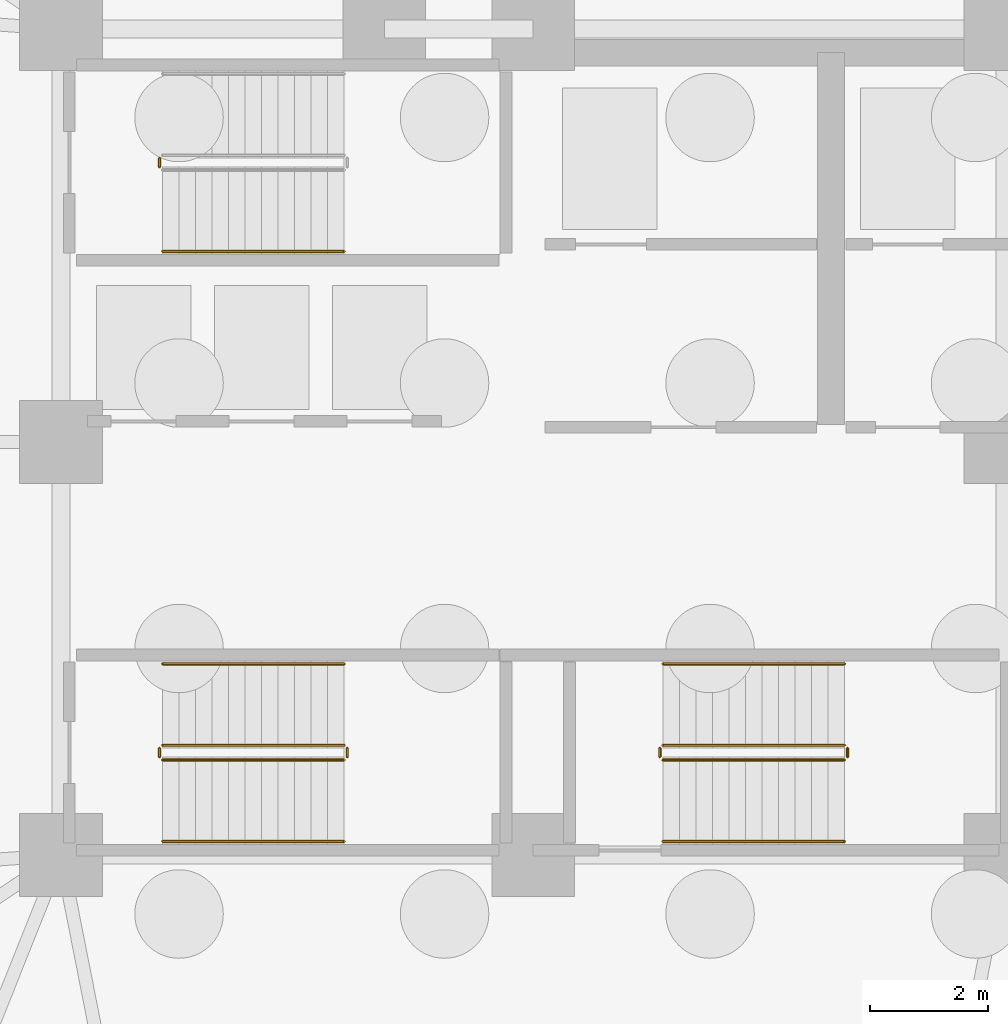
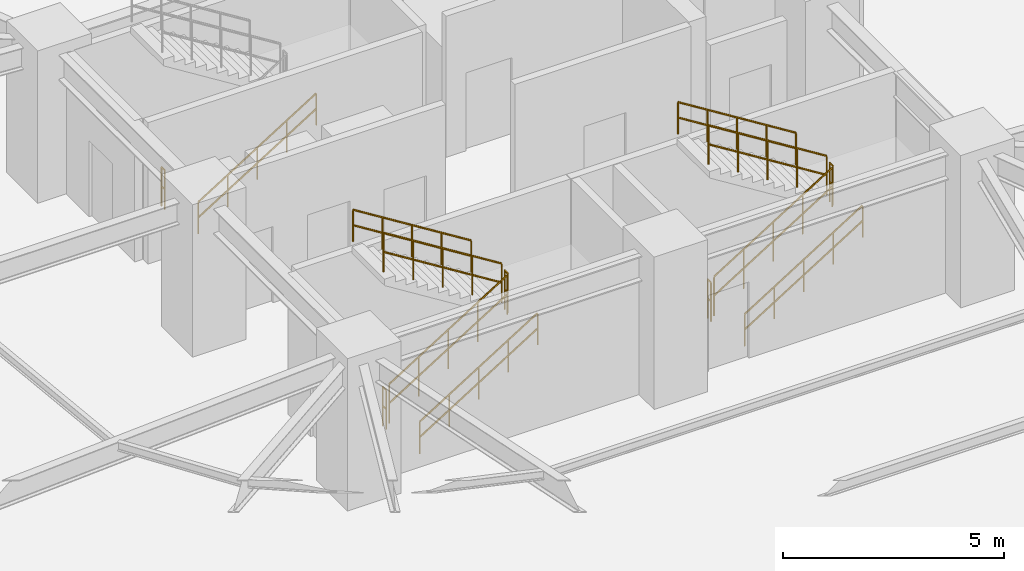
# One storey, part 20 of 23: 14 railings.
"""IFC4 building model written with IfcOpenShell, lengths in metres."""

from ifc_helpers import new_model, si_unit, direction, frame, origin, place, context, subcontext, project, spatial, polyline, outline, extrude, material, type_object, element, save


model = new_model("IFC4")

# Units and contexts
model_context = context("Model", 3, precision=1e-05, world=origin(), true_north=direction((0.0, 1.0)))
body_context = subcontext(model_context, "Body", "Model", "MODEL_VIEW")
ifc_project = project(units=[si_unit("LENGTHUNIT", "METRE"), si_unit("AREAUNIT", "SQUARE_METRE"), si_unit("VOLUMEUNIT", "CUBIC_METRE"), si_unit("PLANEANGLEUNIT", "RADIAN"), si_unit("MASSUNIT", "GRAM", prefix="KILO")], contexts=[model_context])

# Site, building, storey
site_placement = place(None, origin())
site = spatial("IfcSite", under=ifc_project, at=site_placement, CompositionType="ELEMENT")
building_placement = place(site_placement, origin())
building = spatial("IfcBuilding", under=site, at=building_placement, Name="Kelanora Arch Commons", CompositionType="ELEMENT")
storey_placement = place(building_placement, frame((0.0, 0.0, -8.39990234375)))
storey = spatial("IfcBuildingStorey", under=building, at=storey_placement, Name="B02", CompositionType="ELEMENT", Elevation=-8.39990234375)

# Railings
ifc_material_1 = material(Name="Painted steel stair well guard", Category="steel")
railing_type_1 = type_object("IfcRailingType", Name="RAIL-STAIR-GRD", PredefinedType="GUARDRAIL", material=ifc_material_1)
railing_1_placement = place(storey_placement, frame((67.669921875, 62.659912109375, 0.0)))
element("IfcRailing", 1, at=railing_1_placement, inside=storey, type_object=railing_type_1, Name="B02 ST-T1 stair guard 4", PredefinedType="GUARDRAIL", context=body_context, shape_type="SweptSolid", body=[
    extrude(outline(polyline([(0.02392578125, 0.0), (0.011962890625, 0.020751953125), (-0.011962890625, 0.020751953125), (-0.02392578125, 0.0), (-0.011962890625, -0.020751953125), (0.011962890625, -0.020751953125), (0.02392578125, 0.0)])), frame((0.0, 0.0, 1.076171875), z_axis=(0.0, 1.0, 0.0), x_axis=(-1.0, 0.0, 0.0)), (0.0, 0.0, 1.0), 0.150146484375),
    extrude(outline(polyline([(0.02392578125, 0.0), (0.011962890625, 0.020751953125), (-0.011962890625, 0.020751953125), (-0.02392578125, 0.0), (-0.011962890625, -0.020751953125), (0.011962890625, -0.020751953125), (0.02392578125, 0.0)])), frame((0.0, 0.0, 0.550048828125), z_axis=(0.0, 1.0, 0.0), x_axis=(-1.0, 0.0, 0.0)), (0.0, 0.0, 1.0), 0.150146484375),
    extrude(outline(polyline([(0.02099609375, 0.0), (0.010498046875, 0.01806640625), (-0.010498046875, 0.01806640625), (-0.02099609375, 0.0), (-0.010498046875, -0.01806640625), (0.010498046875, -0.01806640625), (0.02099609375, 0.0)])), origin(), (0.0, 0.0, 1.0), 1.052001953125),
    extrude(outline(polyline([(0.02099609375, 0.0), (0.010498046875, 0.01806640625), (-0.010498046875, 0.01806640625), (-0.02099609375, 0.0), (-0.010498046875, -0.01806640625), (0.010498046875, -0.01806640625), (0.02099609375, 0.0)])), frame((0.0, 0.150146484375, 0.0)), (0.0, 0.0, 1.0), 1.052001953125),
])
railing_2_placement = place(storey_placement, frame((76.199951171875, 52.610107421875, 0.1748046875)))
element("IfcRailing", 2, at=railing_2_placement, inside=storey, type_object=railing_type_1, Name="B02 ST-T2 stair guard 1", PredefinedType="GUARDRAIL", context=body_context, shape_type="SweptSolid", body=[
    extrude(outline(polyline([(0.02392578125, 0.0), (0.011962890625, 0.020751953125), (-0.011962890625, 0.020751953125), (-0.02392578125, 0.0), (-0.011962890625, -0.020751953125), (0.011962890625, -0.020751953125), (0.02392578125, 0.0)])), frame((0.0, 0.0, 1.076171875), z_axis=(0.847998304005, 0.0, 0.529998940003), x_axis=(0.0, 1.0, 0.0)), (0.0, 0.0, 1.0), 3.632080078125),
    extrude(outline(polyline([(0.02392578125, 0.0), (0.011962890625, 0.020751953125), (-0.011962890625, 0.020751953125), (-0.02392578125, 0.0), (-0.011962890625, -0.020751953125), (0.011962890625, -0.020751953125), (0.02392578125, 0.0)])), frame((0.0, 0.0, 0.550048828125), z_axis=(0.847998304005, 0.0, 0.529998940003), x_axis=(0.0, 1.0, 0.0)), (0.0, 0.0, 1.0), 3.632080078125),
    extrude(outline(polyline([(0.02099609375, 0.0), (0.010498046875, 0.01806640625), (-0.010498046875, 0.01806640625), (-0.02099609375, 0.0), (-0.010498046875, -0.01806640625), (0.010498046875, -0.01806640625), (0.02099609375, 0.0)])), origin(), (0.0, 0.0, 1.0), 1.052001953125),
    extrude(outline(polyline([(0.02099609375, 0.0), (0.010498046875, 0.01806640625), (-0.010498046875, 0.01806640625), (-0.02099609375, 0.0), (-0.010498046875, -0.01806640625), (0.010498046875, -0.01806640625), (0.02099609375, 0.0)])), frame((0.77001953125, 0.0, 0.481201171875)), (0.0, 0.0, 1.0), 1.052001953125),
    extrude(outline(polyline([(0.02099609375, 0.0), (0.010498046875, 0.01806640625), (-0.010498046875, 0.01806640625), (-0.02099609375, 0.0), (-0.010498046875, -0.01806640625), (0.010498046875, -0.01806640625), (0.02099609375, 0.0)])), frame((1.5400390625, 0.0, 0.96240234375)), (0.0, 0.0, 1.0), 1.052001953125),
    extrude(outline(polyline([(0.02099609375, 0.0), (0.010498046875, 0.01806640625), (-0.010498046875, 0.01806640625), (-0.02099609375, 0.0), (-0.010498046875, -0.01806640625), (0.010498046875, -0.01806640625), (0.02099609375, 0.0)])), frame((2.31005859375, 0.0, 1.44384765625)), (0.0, 0.0, 1.0), 1.052001953125),
    extrude(outline(polyline([(0.02099609375, 0.0), (0.010498046875, 0.01806640625), (-0.010498046875, 0.01806640625), (-0.02099609375, 0.0), (-0.010498046875, -0.01806640625), (0.010498046875, -0.01806640625), (0.02099609375, 0.0)])), frame((3.080078125, 0.0, 1.925048828125)), (0.0, 0.0, 1.0), 1.052001953125),
])
railing_3_placement = place(storey_placement, frame((79.330078125, 52.659912109375, 2.099853515625)))
element("IfcRailing", 3, at=railing_3_placement, inside=storey, type_object=railing_type_1, Name="B02 ST-T2 stair guard 2", PredefinedType="GUARDRAIL", context=body_context, shape_type="SweptSolid", body=[
    extrude(outline(polyline([(0.02392578125, 0.0), (0.011962890625, 0.020751953125), (-0.011962890625, 0.020751953125), (-0.02392578125, 0.0), (-0.011962890625, -0.020751953125), (0.011962890625, -0.020751953125), (0.02392578125, 0.0)])), frame((0.0, 0.0, 1.076171875), z_axis=(0.0, 1.0, 0.0), x_axis=(-1.0, 0.0, 0.0)), (0.0, 0.0, 1.0), 0.150146484375),
    extrude(outline(polyline([(0.02392578125, 0.0), (0.011962890625, 0.020751953125), (-0.011962890625, 0.020751953125), (-0.02392578125, 0.0), (-0.011962890625, -0.020751953125), (0.011962890625, -0.020751953125), (0.02392578125, 0.0)])), frame((0.0, 0.0, 0.550048828125), z_axis=(0.0, 1.0, 0.0), x_axis=(-1.0, 0.0, 0.0)), (0.0, 0.0, 1.0), 0.150146484375),
    extrude(outline(polyline([(0.02099609375, 0.0), (0.010498046875, 0.01806640625), (-0.010498046875, 0.01806640625), (-0.02099609375, 0.0), (-0.010498046875, -0.01806640625), (0.010498046875, -0.01806640625), (0.02099609375, 0.0)])), origin(), (0.0, 0.0, 1.0), 1.052001953125),
    extrude(outline(polyline([(0.02099609375, 0.0), (0.010498046875, 0.01806640625), (-0.010498046875, 0.01806640625), (-0.02099609375, 0.0), (-0.010498046875, -0.01806640625), (0.010498046875, -0.01806640625), (0.02099609375, 0.0)])), frame((0.0, 0.150146484375, 0.0)), (0.0, 0.0, 1.0), 1.052001953125),
])
railing_4_placement = place(storey_placement, frame((79.280029296875, 52.860107421875, 2.27490234375)))
element("IfcRailing", 4, at=railing_4_placement, inside=storey, type_object=railing_type_1, Name="B02 ST-T2 stair guard 3", PredefinedType="GUARDRAIL", context=body_context, shape_type="SweptSolid", body=[
    extrude(outline(polyline([(0.02392578125, 0.0), (0.011962890625, 0.020751953125), (-0.011962890625, 0.020751953125), (-0.02392578125, 0.0), (-0.011962890625, -0.020751953125), (0.011962890625, -0.020751953125), (0.02392578125, 0.0)])), frame((0.0, 0.0, 1.076171875), z_axis=(-0.847998304005, 0.0, 0.529998940003), x_axis=(0.0, -1.0, 0.0)), (0.0, 0.0, 1.0), 3.632080078125),
    extrude(outline(polyline([(0.02392578125, 0.0), (0.011962890625, 0.020751953125), (-0.011962890625, 0.020751953125), (-0.02392578125, 0.0), (-0.011962890625, -0.020751953125), (0.011962890625, -0.020751953125), (0.02392578125, 0.0)])), frame((0.0, 0.0, 0.550048828125), z_axis=(-0.847998304005, 0.0, 0.529998940003), x_axis=(0.0, -1.0, 0.0)), (0.0, 0.0, 1.0), 3.632080078125),
    extrude(outline(polyline([(0.02099609375, 0.0), (0.010498046875, 0.01806640625), (-0.010498046875, 0.01806640625), (-0.02099609375, 0.0), (-0.010498046875, -0.01806640625), (0.010498046875, -0.01806640625), (0.02099609375, 0.0)])), origin(), (0.0, 0.0, 1.0), 1.052001953125),
    extrude(outline(polyline([(0.02099609375, 0.0), (0.010498046875, 0.01806640625), (-0.010498046875, 0.01806640625), (-0.02099609375, 0.0), (-0.010498046875, -0.01806640625), (0.010498046875, -0.01806640625), (0.02099609375, 0.0)])), frame((-0.77001953125, 0.0, 0.481201171875)), (0.0, 0.0, 1.0), 1.052001953125),
    extrude(outline(polyline([(0.02099609375, 0.0), (0.010498046875, 0.01806640625), (-0.010498046875, 0.01806640625), (-0.02099609375, 0.0), (-0.010498046875, -0.01806640625), (0.010498046875, -0.01806640625), (0.02099609375, 0.0)])), frame((-1.5400390625, 0.0, 0.96240234375)), (0.0, 0.0, 1.0), 1.052001953125),
    extrude(outline(polyline([(0.02099609375, 0.0), (0.010498046875, 0.01806640625), (-0.010498046875, 0.01806640625), (-0.02099609375, 0.0), (-0.010498046875, -0.01806640625), (0.010498046875, -0.01806640625), (0.02099609375, 0.0)])), frame((-2.31005859375, 0.0, 1.44384765625)), (0.0, 0.0, 1.0), 1.052001953125),
    extrude(outline(polyline([(0.02099609375, 0.0), (0.010498046875, 0.01806640625), (-0.010498046875, 0.01806640625), (-0.02099609375, 0.0), (-0.010498046875, -0.01806640625), (0.010498046875, -0.01806640625), (0.02099609375, 0.0)])), frame((-3.080078125, 0.0, 1.925048828125)), (0.0, 0.0, 1.0), 1.052001953125),
])
railing_5_placement = place(storey_placement, frame((76.14990234375, 52.659912109375, 0.0)))
element("IfcRailing", 5, at=railing_5_placement, inside=storey, type_object=railing_type_1, Name="B02 ST-T2 stair guard 4", PredefinedType="GUARDRAIL", context=body_context, shape_type="SweptSolid", body=[
    extrude(outline(polyline([(0.02392578125, 0.0), (0.011962890625, 0.020751953125), (-0.011962890625, 0.020751953125), (-0.02392578125, 0.0), (-0.011962890625, -0.020751953125), (0.011962890625, -0.020751953125), (0.02392578125, 0.0)])), frame((0.0, 0.0, 1.076171875), z_axis=(0.0, 1.0, 0.0), x_axis=(-1.0, 0.0, 0.0)), (0.0, 0.0, 1.0), 0.150146484375),
    extrude(outline(polyline([(0.02392578125, 0.0), (0.011962890625, 0.020751953125), (-0.011962890625, 0.020751953125), (-0.02392578125, 0.0), (-0.011962890625, -0.020751953125), (0.011962890625, -0.020751953125), (0.02392578125, 0.0)])), frame((0.0, 0.0, 0.550048828125), z_axis=(0.0, 1.0, 0.0), x_axis=(-1.0, 0.0, 0.0)), (0.0, 0.0, 1.0), 0.150146484375),
    extrude(outline(polyline([(0.02099609375, 0.0), (0.010498046875, 0.01806640625), (-0.010498046875, 0.01806640625), (-0.02099609375, 0.0), (-0.010498046875, -0.01806640625), (0.010498046875, -0.01806640625), (0.02099609375, 0.0)])), origin(), (0.0, 0.0, 1.0), 1.052001953125),
    extrude(outline(polyline([(0.02099609375, 0.0), (0.010498046875, 0.01806640625), (-0.010498046875, 0.01806640625), (-0.02099609375, 0.0), (-0.010498046875, -0.01806640625), (0.010498046875, -0.01806640625), (0.02099609375, 0.0)])), frame((0.0, 0.150146484375, 0.0)), (0.0, 0.0, 1.0), 1.052001953125),
])
railing_6_placement = place(storey_placement, frame((67.719970703125, 52.610107421875, 0.1748046875)))
element("IfcRailing", 6, at=railing_6_placement, inside=storey, type_object=railing_type_1, Name="B02 ST-T3 stair guard 1", PredefinedType="GUARDRAIL", context=body_context, shape_type="SweptSolid", body=[
    extrude(outline(polyline([(0.02392578125, 0.0), (0.011962890625, 0.020751953125), (-0.011962890625, 0.020751953125), (-0.02392578125, 0.0), (-0.011962890625, -0.020751953125), (0.011962890625, -0.020751953125), (0.02392578125, 0.0)])), frame((0.0, 0.0, 1.076171875), z_axis=(0.847998304005, 0.0, 0.529998940003), x_axis=(0.0, 1.0, 0.0)), (0.0, 0.0, 1.0), 3.632080078125),
    extrude(outline(polyline([(0.02392578125, 0.0), (0.011962890625, 0.020751953125), (-0.011962890625, 0.020751953125), (-0.02392578125, 0.0), (-0.011962890625, -0.020751953125), (0.011962890625, -0.020751953125), (0.02392578125, 0.0)])), frame((0.0, 0.0, 0.550048828125), z_axis=(0.847998304005, 0.0, 0.529998940003), x_axis=(0.0, 1.0, 0.0)), (0.0, 0.0, 1.0), 3.632080078125),
    extrude(outline(polyline([(0.02099609375, 0.0), (0.010498046875, 0.01806640625), (-0.010498046875, 0.01806640625), (-0.02099609375, 0.0), (-0.010498046875, -0.01806640625), (0.010498046875, -0.01806640625), (0.02099609375, 0.0)])), origin(), (0.0, 0.0, 1.0), 1.052001953125),
    extrude(outline(polyline([(0.02099609375, 0.0), (0.010498046875, 0.01806640625), (-0.010498046875, 0.01806640625), (-0.02099609375, 0.0), (-0.010498046875, -0.01806640625), (0.010498046875, -0.01806640625), (0.02099609375, 0.0)])), frame((0.77001953125, 0.0, 0.481201171875)), (0.0, 0.0, 1.0), 1.052001953125),
    extrude(outline(polyline([(0.02099609375, 0.0), (0.010498046875, 0.01806640625), (-0.010498046875, 0.01806640625), (-0.02099609375, 0.0), (-0.010498046875, -0.01806640625), (0.010498046875, -0.01806640625), (0.02099609375, 0.0)])), frame((1.5400390625, 0.0, 0.96240234375)), (0.0, 0.0, 1.0), 1.052001953125),
    extrude(outline(polyline([(0.02099609375, 0.0), (0.010498046875, 0.01806640625), (-0.010498046875, 0.01806640625), (-0.02099609375, 0.0), (-0.010498046875, -0.01806640625), (0.010498046875, -0.01806640625), (0.02099609375, 0.0)])), frame((2.31005859375, 0.0, 1.44384765625)), (0.0, 0.0, 1.0), 1.052001953125),
    extrude(outline(polyline([(0.02099609375, 0.0), (0.010498046875, 0.01806640625), (-0.010498046875, 0.01806640625), (-0.02099609375, 0.0), (-0.010498046875, -0.01806640625), (0.010498046875, -0.01806640625), (0.02099609375, 0.0)])), frame((3.080078125, 0.0, 1.925048828125)), (0.0, 0.0, 1.0), 1.052001953125),
])
railing_7_placement = place(storey_placement, frame((70.85009765625, 52.659912109375, 2.099853515625)))
element("IfcRailing", 7, at=railing_7_placement, inside=storey, type_object=railing_type_1, Name="B02 ST-T3 stair guard 2", PredefinedType="GUARDRAIL", context=body_context, shape_type="SweptSolid", body=[
    extrude(outline(polyline([(0.02392578125, 0.0), (0.011962890625, 0.020751953125), (-0.011962890625, 0.020751953125), (-0.02392578125, 0.0), (-0.011962890625, -0.020751953125), (0.011962890625, -0.020751953125), (0.02392578125, 0.0)])), frame((0.0, 0.0, 1.076171875), z_axis=(0.0, 1.0, 0.0), x_axis=(-1.0, 0.0, 0.0)), (0.0, 0.0, 1.0), 0.150146484375),
    extrude(outline(polyline([(0.02392578125, 0.0), (0.011962890625, 0.020751953125), (-0.011962890625, 0.020751953125), (-0.02392578125, 0.0), (-0.011962890625, -0.020751953125), (0.011962890625, -0.020751953125), (0.02392578125, 0.0)])), frame((0.0, 0.0, 0.550048828125), z_axis=(0.0, 1.0, 0.0), x_axis=(-1.0, 0.0, 0.0)), (0.0, 0.0, 1.0), 0.150146484375),
    extrude(outline(polyline([(0.02099609375, 0.0), (0.010498046875, 0.01806640625), (-0.010498046875, 0.01806640625), (-0.02099609375, 0.0), (-0.010498046875, -0.01806640625), (0.010498046875, -0.01806640625), (0.02099609375, 0.0)])), origin(), (0.0, 0.0, 1.0), 1.052001953125),
    extrude(outline(polyline([(0.02099609375, 0.0), (0.010498046875, 0.01806640625), (-0.010498046875, 0.01806640625), (-0.02099609375, 0.0), (-0.010498046875, -0.01806640625), (0.010498046875, -0.01806640625), (0.02099609375, 0.0)])), frame((0.0, 0.150146484375, 0.0)), (0.0, 0.0, 1.0), 1.052001953125),
])
railing_8_placement = place(storey_placement, frame((70.800048828125, 52.860107421875, 2.27490234375)))
element("IfcRailing", 8, at=railing_8_placement, inside=storey, type_object=railing_type_1, Name="B02 ST-T3 stair guard 3", PredefinedType="GUARDRAIL", context=body_context, shape_type="SweptSolid", body=[
    extrude(outline(polyline([(0.02392578125, 0.0), (0.011962890625, 0.020751953125), (-0.011962890625, 0.020751953125), (-0.02392578125, 0.0), (-0.011962890625, -0.020751953125), (0.011962890625, -0.020751953125), (0.02392578125, 0.0)])), frame((0.0, 0.0, 1.076171875), z_axis=(-0.847998304005, 0.0, 0.529998940003), x_axis=(0.0, -1.0, 0.0)), (0.0, 0.0, 1.0), 3.632080078125),
    extrude(outline(polyline([(0.02392578125, 0.0), (0.011962890625, 0.020751953125), (-0.011962890625, 0.020751953125), (-0.02392578125, 0.0), (-0.011962890625, -0.020751953125), (0.011962890625, -0.020751953125), (0.02392578125, 0.0)])), frame((0.0, 0.0, 0.550048828125), z_axis=(-0.847998304005, 0.0, 0.529998940003), x_axis=(0.0, -1.0, 0.0)), (0.0, 0.0, 1.0), 3.632080078125),
    extrude(outline(polyline([(0.02099609375, 0.0), (0.010498046875, 0.01806640625), (-0.010498046875, 0.01806640625), (-0.02099609375, 0.0), (-0.010498046875, -0.01806640625), (0.010498046875, -0.01806640625), (0.02099609375, 0.0)])), origin(), (0.0, 0.0, 1.0), 1.052001953125),
    extrude(outline(polyline([(0.02099609375, 0.0), (0.010498046875, 0.01806640625), (-0.010498046875, 0.01806640625), (-0.02099609375, 0.0), (-0.010498046875, -0.01806640625), (0.010498046875, -0.01806640625), (0.02099609375, 0.0)])), frame((-0.77001953125, 0.0, 0.481201171875)), (0.0, 0.0, 1.0), 1.052001953125),
    extrude(outline(polyline([(0.02099609375, 0.0), (0.010498046875, 0.01806640625), (-0.010498046875, 0.01806640625), (-0.02099609375, 0.0), (-0.010498046875, -0.01806640625), (0.010498046875, -0.01806640625), (0.02099609375, 0.0)])), frame((-1.5400390625, 0.0, 0.96240234375)), (0.0, 0.0, 1.0), 1.052001953125),
    extrude(outline(polyline([(0.02099609375, 0.0), (0.010498046875, 0.01806640625), (-0.010498046875, 0.01806640625), (-0.02099609375, 0.0), (-0.010498046875, -0.01806640625), (0.010498046875, -0.01806640625), (0.02099609375, 0.0)])), frame((-2.31005859375, 0.0, 1.44384765625)), (0.0, 0.0, 1.0), 1.052001953125),
    extrude(outline(polyline([(0.02099609375, 0.0), (0.010498046875, 0.01806640625), (-0.010498046875, 0.01806640625), (-0.02099609375, 0.0), (-0.010498046875, -0.01806640625), (0.010498046875, -0.01806640625), (0.02099609375, 0.0)])), frame((-3.080078125, 0.0, 1.925048828125)), (0.0, 0.0, 1.0), 1.052001953125),
])
railing_9_placement = place(storey_placement, frame((67.669921875, 52.659912109375, 0.0)))
element("IfcRailing", 9, at=railing_9_placement, inside=storey, type_object=railing_type_1, Name="B02 ST-T3 stair guard 4", PredefinedType="GUARDRAIL", context=body_context, shape_type="SweptSolid", body=[
    extrude(outline(polyline([(0.02392578125, 0.0), (0.011962890625, 0.020751953125), (-0.011962890625, 0.020751953125), (-0.02392578125, 0.0), (-0.011962890625, -0.020751953125), (0.011962890625, -0.020751953125), (0.02392578125, 0.0)])), frame((0.0, 0.0, 1.076171875), z_axis=(0.0, 1.0, 0.0), x_axis=(-1.0, 0.0, 0.0)), (0.0, 0.0, 1.0), 0.150146484375),
    extrude(outline(polyline([(0.02392578125, 0.0), (0.011962890625, 0.020751953125), (-0.011962890625, 0.020751953125), (-0.02392578125, 0.0), (-0.011962890625, -0.020751953125), (0.011962890625, -0.020751953125), (0.02392578125, 0.0)])), frame((0.0, 0.0, 0.550048828125), z_axis=(0.0, 1.0, 0.0), x_axis=(-1.0, 0.0, 0.0)), (0.0, 0.0, 1.0), 0.150146484375),
    extrude(outline(polyline([(0.02099609375, 0.0), (0.010498046875, 0.01806640625), (-0.010498046875, 0.01806640625), (-0.02099609375, 0.0), (-0.010498046875, -0.01806640625), (0.010498046875, -0.01806640625), (0.02099609375, 0.0)])), origin(), (0.0, 0.0, 1.0), 1.052001953125),
    extrude(outline(polyline([(0.02099609375, 0.0), (0.010498046875, 0.01806640625), (-0.010498046875, 0.01806640625), (-0.02099609375, 0.0), (-0.010498046875, -0.01806640625), (0.010498046875, -0.01806640625), (0.02099609375, 0.0)])), frame((0.0, 0.150146484375, 0.0)), (0.0, 0.0, 1.0), 1.052001953125),
])
ifc_material_2 = material(Name="Brushed stainless steel stair handrail", Category="steel")
railing_type_2 = type_object("IfcRailingType", Name="RAIL-STAIR-HND", PredefinedType="HANDRAIL", material=ifc_material_2)
railing_10_placement = place(storey_placement, frame((67.719970703125, 61.22998046875, 0.1748046875)))
element("IfcRailing", 10, at=railing_10_placement, inside=storey, type_object=railing_type_2, Name="B02 ST-T1 stair handrail 1", PredefinedType="HANDRAIL", context=body_context, shape_type="SweptSolid", body=[
    extrude(outline(polyline([(0.02392578125, 0.0), (0.011962890625, 0.020751953125), (-0.011962890625, 0.020751953125), (-0.02392578125, 0.0), (-0.011962890625, -0.020751953125), (0.011962890625, -0.020751953125), (0.02392578125, 0.0)])), frame((0.0, 0.0, 0.8759765625), z_axis=(0.847998304005, 0.0, 0.529998940003), x_axis=(0.0, 1.0, 0.0)), (0.0, 0.0, 1.0), 3.632080078125),
    extrude(outline(polyline([(0.02392578125, 0.0), (0.011962890625, 0.020751953125), (-0.011962890625, 0.020751953125), (-0.02392578125, 0.0), (-0.011962890625, -0.020751953125), (0.011962890625, -0.020751953125), (0.02392578125, 0.0)])), frame((0.0, 0.0, 0.449951171875), z_axis=(0.847998304005, 0.0, 0.529998940003), x_axis=(0.0, 1.0, 0.0)), (0.0, 0.0, 1.0), 3.632080078125),
    extrude(outline(polyline([(0.02099609375, 0.0), (0.010498046875, 0.01806640625), (-0.010498046875, 0.01806640625), (-0.02099609375, 0.0), (-0.010498046875, -0.01806640625), (0.010498046875, -0.01806640625), (0.02099609375, 0.0)])), origin(), (0.0, 0.0, 1.0), 0.851806640625),
    extrude(outline(polyline([(0.02099609375, 0.0), (0.010498046875, 0.01806640625), (-0.010498046875, 0.01806640625), (-0.02099609375, 0.0), (-0.010498046875, -0.01806640625), (0.010498046875, -0.01806640625), (0.02099609375, 0.0)])), frame((0.77001953125, 0.0, 0.481201171875)), (0.0, 0.0, 1.0), 0.851806640625),
    extrude(outline(polyline([(0.02099609375, 0.0), (0.010498046875, 0.01806640625), (-0.010498046875, 0.01806640625), (-0.02099609375, 0.0), (-0.010498046875, -0.01806640625), (0.010498046875, -0.01806640625), (0.02099609375, 0.0)])), frame((1.5400390625, 0.0, 0.96240234375)), (0.0, 0.0, 1.0), 0.851806640625),
    extrude(outline(polyline([(0.02099609375, 0.0), (0.010498046875, 0.01806640625), (-0.010498046875, 0.01806640625), (-0.02099609375, 0.0), (-0.010498046875, -0.01806640625), (0.010498046875, -0.01806640625), (0.02099609375, 0.0)])), frame((2.31005859375, 0.0, 1.44384765625)), (0.0, 0.0, 1.0), 0.851806640625),
    extrude(outline(polyline([(0.02099609375, 0.0), (0.010498046875, 0.01806640625), (-0.010498046875, 0.01806640625), (-0.02099609375, 0.0), (-0.010498046875, -0.01806640625), (0.010498046875, -0.01806640625), (0.02099609375, 0.0)])), frame((3.080078125, 0.0, 1.925048828125)), (0.0, 0.0, 1.0), 0.851806640625),
])
railing_11_placement = place(storey_placement, frame((76.199951171875, 51.22998046875, 0.1748046875)))
element("IfcRailing", 11, at=railing_11_placement, inside=storey, type_object=railing_type_2, Name="B02 ST-T2 stair handrail 1", PredefinedType="HANDRAIL", context=body_context, shape_type="SweptSolid", body=[
    extrude(outline(polyline([(0.02392578125, 0.0), (0.011962890625, 0.020751953125), (-0.011962890625, 0.020751953125), (-0.02392578125, 0.0), (-0.011962890625, -0.020751953125), (0.011962890625, -0.020751953125), (0.02392578125, 0.0)])), frame((0.0, 0.0, 0.8759765625), z_axis=(0.847998304005, 0.0, 0.529998940003), x_axis=(0.0, 1.0, 0.0)), (0.0, 0.0, 1.0), 3.632080078125),
    extrude(outline(polyline([(0.02392578125, 0.0), (0.011962890625, 0.020751953125), (-0.011962890625, 0.020751953125), (-0.02392578125, 0.0), (-0.011962890625, -0.020751953125), (0.011962890625, -0.020751953125), (0.02392578125, 0.0)])), frame((0.0, 0.0, 0.449951171875), z_axis=(0.847998304005, 0.0, 0.529998940003), x_axis=(0.0, 1.0, 0.0)), (0.0, 0.0, 1.0), 3.632080078125),
    extrude(outline(polyline([(0.02099609375, 0.0), (0.010498046875, 0.01806640625), (-0.010498046875, 0.01806640625), (-0.02099609375, 0.0), (-0.010498046875, -0.01806640625), (0.010498046875, -0.01806640625), (0.02099609375, 0.0)])), origin(), (0.0, 0.0, 1.0), 0.851806640625),
    extrude(outline(polyline([(0.02099609375, 0.0), (0.010498046875, 0.01806640625), (-0.010498046875, 0.01806640625), (-0.02099609375, 0.0), (-0.010498046875, -0.01806640625), (0.010498046875, -0.01806640625), (0.02099609375, 0.0)])), frame((0.77001953125, 0.0, 0.481201171875)), (0.0, 0.0, 1.0), 0.851806640625),
    extrude(outline(polyline([(0.02099609375, 0.0), (0.010498046875, 0.01806640625), (-0.010498046875, 0.01806640625), (-0.02099609375, 0.0), (-0.010498046875, -0.01806640625), (0.010498046875, -0.01806640625), (0.02099609375, 0.0)])), frame((1.5400390625, 0.0, 0.96240234375)), (0.0, 0.0, 1.0), 0.851806640625),
    extrude(outline(polyline([(0.02099609375, 0.0), (0.010498046875, 0.01806640625), (-0.010498046875, 0.01806640625), (-0.02099609375, 0.0), (-0.010498046875, -0.01806640625), (0.010498046875, -0.01806640625), (0.02099609375, 0.0)])), frame((2.31005859375, 0.0, 1.44384765625)), (0.0, 0.0, 1.0), 0.851806640625),
    extrude(outline(polyline([(0.02099609375, 0.0), (0.010498046875, 0.01806640625), (-0.010498046875, 0.01806640625), (-0.02099609375, 0.0), (-0.010498046875, -0.01806640625), (0.010498046875, -0.01806640625), (0.02099609375, 0.0)])), frame((3.080078125, 0.0, 1.925048828125)), (0.0, 0.0, 1.0), 0.851806640625),
])
railing_12_placement = place(storey_placement, frame((79.280029296875, 54.239990234375, 2.27490234375)))
element("IfcRailing", 12, at=railing_12_placement, inside=storey, type_object=railing_type_2, Name="B02 ST-T2 stair handrail 2", PredefinedType="HANDRAIL", context=body_context, shape_type="SweptSolid", body=[
    extrude(outline(polyline([(0.02392578125, 0.0), (0.011962890625, 0.020751953125), (-0.011962890625, 0.020751953125), (-0.02392578125, 0.0), (-0.011962890625, -0.020751953125), (0.011962890625, -0.020751953125), (0.02392578125, 0.0)])), frame((0.0, 0.0, 0.8759765625), z_axis=(-0.847998304005, 0.0, 0.529998940003), x_axis=(0.0, -1.0, 0.0)), (0.0, 0.0, 1.0), 3.632080078125),
    extrude(outline(polyline([(0.02392578125, 0.0), (0.011962890625, 0.020751953125), (-0.011962890625, 0.020751953125), (-0.02392578125, 0.0), (-0.011962890625, -0.020751953125), (0.011962890625, -0.020751953125), (0.02392578125, 0.0)])), frame((0.0, 0.0, 0.449951171875), z_axis=(-0.847998304005, 0.0, 0.529998940003), x_axis=(0.0, -1.0, 0.0)), (0.0, 0.0, 1.0), 3.632080078125),
    extrude(outline(polyline([(0.02099609375, 0.0), (0.010498046875, 0.01806640625), (-0.010498046875, 0.01806640625), (-0.02099609375, 0.0), (-0.010498046875, -0.01806640625), (0.010498046875, -0.01806640625), (0.02099609375, 0.0)])), origin(), (0.0, 0.0, 1.0), 0.851806640625),
    extrude(outline(polyline([(0.02099609375, 0.0), (0.010498046875, 0.01806640625), (-0.010498046875, 0.01806640625), (-0.02099609375, 0.0), (-0.010498046875, -0.01806640625), (0.010498046875, -0.01806640625), (0.02099609375, 0.0)])), frame((-0.77001953125, 0.0, 0.481201171875)), (0.0, 0.0, 1.0), 0.851806640625),
    extrude(outline(polyline([(0.02099609375, 0.0), (0.010498046875, 0.01806640625), (-0.010498046875, 0.01806640625), (-0.02099609375, 0.0), (-0.010498046875, -0.01806640625), (0.010498046875, -0.01806640625), (0.02099609375, 0.0)])), frame((-1.5400390625, 0.0, 0.96240234375)), (0.0, 0.0, 1.0), 0.851806640625),
    extrude(outline(polyline([(0.02099609375, 0.0), (0.010498046875, 0.01806640625), (-0.010498046875, 0.01806640625), (-0.02099609375, 0.0), (-0.010498046875, -0.01806640625), (0.010498046875, -0.01806640625), (0.02099609375, 0.0)])), frame((-2.31005859375, 0.0, 1.44384765625)), (0.0, 0.0, 1.0), 0.851806640625),
    extrude(outline(polyline([(0.02099609375, 0.0), (0.010498046875, 0.01806640625), (-0.010498046875, 0.01806640625), (-0.02099609375, 0.0), (-0.010498046875, -0.01806640625), (0.010498046875, -0.01806640625), (0.02099609375, 0.0)])), frame((-3.080078125, 0.0, 1.925048828125)), (0.0, 0.0, 1.0), 0.851806640625),
])
railing_13_placement = place(storey_placement, frame((67.719970703125, 51.22998046875, 0.1748046875)))
element("IfcRailing", 13, at=railing_13_placement, inside=storey, type_object=railing_type_2, Name="B02 ST-T3 stair handrail 1", PredefinedType="HANDRAIL", context=body_context, shape_type="SweptSolid", body=[
    extrude(outline(polyline([(0.02392578125, 0.0), (0.011962890625, 0.020751953125), (-0.011962890625, 0.020751953125), (-0.02392578125, 0.0), (-0.011962890625, -0.020751953125), (0.011962890625, -0.020751953125), (0.02392578125, 0.0)])), frame((0.0, 0.0, 0.8759765625), z_axis=(0.847998304005, 0.0, 0.529998940003), x_axis=(0.0, 1.0, 0.0)), (0.0, 0.0, 1.0), 3.632080078125),
    extrude(outline(polyline([(0.02392578125, 0.0), (0.011962890625, 0.020751953125), (-0.011962890625, 0.020751953125), (-0.02392578125, 0.0), (-0.011962890625, -0.020751953125), (0.011962890625, -0.020751953125), (0.02392578125, 0.0)])), frame((0.0, 0.0, 0.449951171875), z_axis=(0.847998304005, 0.0, 0.529998940003), x_axis=(0.0, 1.0, 0.0)), (0.0, 0.0, 1.0), 3.632080078125),
    extrude(outline(polyline([(0.02099609375, 0.0), (0.010498046875, 0.01806640625), (-0.010498046875, 0.01806640625), (-0.02099609375, 0.0), (-0.010498046875, -0.01806640625), (0.010498046875, -0.01806640625), (0.02099609375, 0.0)])), origin(), (0.0, 0.0, 1.0), 0.851806640625),
    extrude(outline(polyline([(0.02099609375, 0.0), (0.010498046875, 0.01806640625), (-0.010498046875, 0.01806640625), (-0.02099609375, 0.0), (-0.010498046875, -0.01806640625), (0.010498046875, -0.01806640625), (0.02099609375, 0.0)])), frame((0.77001953125, 0.0, 0.481201171875)), (0.0, 0.0, 1.0), 0.851806640625),
    extrude(outline(polyline([(0.02099609375, 0.0), (0.010498046875, 0.01806640625), (-0.010498046875, 0.01806640625), (-0.02099609375, 0.0), (-0.010498046875, -0.01806640625), (0.010498046875, -0.01806640625), (0.02099609375, 0.0)])), frame((1.5400390625, 0.0, 0.96240234375)), (0.0, 0.0, 1.0), 0.851806640625),
    extrude(outline(polyline([(0.02099609375, 0.0), (0.010498046875, 0.01806640625), (-0.010498046875, 0.01806640625), (-0.02099609375, 0.0), (-0.010498046875, -0.01806640625), (0.010498046875, -0.01806640625), (0.02099609375, 0.0)])), frame((2.31005859375, 0.0, 1.44384765625)), (0.0, 0.0, 1.0), 0.851806640625),
    extrude(outline(polyline([(0.02099609375, 0.0), (0.010498046875, 0.01806640625), (-0.010498046875, 0.01806640625), (-0.02099609375, 0.0), (-0.010498046875, -0.01806640625), (0.010498046875, -0.01806640625), (0.02099609375, 0.0)])), frame((3.080078125, 0.0, 1.925048828125)), (0.0, 0.0, 1.0), 0.851806640625),
])
railing_14_placement = place(storey_placement, frame((70.800048828125, 54.239990234375, 2.27490234375)))
element("IfcRailing", 14, at=railing_14_placement, inside=storey, type_object=railing_type_2, Name="B02 ST-T3 stair handrail 2", PredefinedType="HANDRAIL", context=body_context, shape_type="SweptSolid", body=[
    extrude(outline(polyline([(0.02392578125, 0.0), (0.011962890625, 0.020751953125), (-0.011962890625, 0.020751953125), (-0.02392578125, 0.0), (-0.011962890625, -0.020751953125), (0.011962890625, -0.020751953125), (0.02392578125, 0.0)])), frame((0.0, 0.0, 0.8759765625), z_axis=(-0.847998304005, 0.0, 0.529998940003), x_axis=(0.0, -1.0, 0.0)), (0.0, 0.0, 1.0), 3.632080078125),
    extrude(outline(polyline([(0.02392578125, 0.0), (0.011962890625, 0.020751953125), (-0.011962890625, 0.020751953125), (-0.02392578125, 0.0), (-0.011962890625, -0.020751953125), (0.011962890625, -0.020751953125), (0.02392578125, 0.0)])), frame((0.0, 0.0, 0.449951171875), z_axis=(-0.847998304005, 0.0, 0.529998940003), x_axis=(0.0, -1.0, 0.0)), (0.0, 0.0, 1.0), 3.632080078125),
    extrude(outline(polyline([(0.02099609375, 0.0), (0.010498046875, 0.01806640625), (-0.010498046875, 0.01806640625), (-0.02099609375, 0.0), (-0.010498046875, -0.01806640625), (0.010498046875, -0.01806640625), (0.02099609375, 0.0)])), origin(), (0.0, 0.0, 1.0), 0.851806640625),
    extrude(outline(polyline([(0.02099609375, 0.0), (0.010498046875, 0.01806640625), (-0.010498046875, 0.01806640625), (-0.02099609375, 0.0), (-0.010498046875, -0.01806640625), (0.010498046875, -0.01806640625), (0.02099609375, 0.0)])), frame((-0.77001953125, 0.0, 0.481201171875)), (0.0, 0.0, 1.0), 0.851806640625),
    extrude(outline(polyline([(0.02099609375, 0.0), (0.010498046875, 0.01806640625), (-0.010498046875, 0.01806640625), (-0.02099609375, 0.0), (-0.010498046875, -0.01806640625), (0.010498046875, -0.01806640625), (0.02099609375, 0.0)])), frame((-1.5400390625, 0.0, 0.96240234375)), (0.0, 0.0, 1.0), 0.851806640625),
    extrude(outline(polyline([(0.02099609375, 0.0), (0.010498046875, 0.01806640625), (-0.010498046875, 0.01806640625), (-0.02099609375, 0.0), (-0.010498046875, -0.01806640625), (0.010498046875, -0.01806640625), (0.02099609375, 0.0)])), frame((-2.31005859375, 0.0, 1.44384765625)), (0.0, 0.0, 1.0), 0.851806640625),
    extrude(outline(polyline([(0.02099609375, 0.0), (0.010498046875, 0.01806640625), (-0.010498046875, 0.01806640625), (-0.02099609375, 0.0), (-0.010498046875, -0.01806640625), (0.010498046875, -0.01806640625), (0.02099609375, 0.0)])), frame((-3.080078125, 0.0, 1.925048828125)), (0.0, 0.0, 1.0), 0.851806640625),
])

save(model, "model.ifc")
